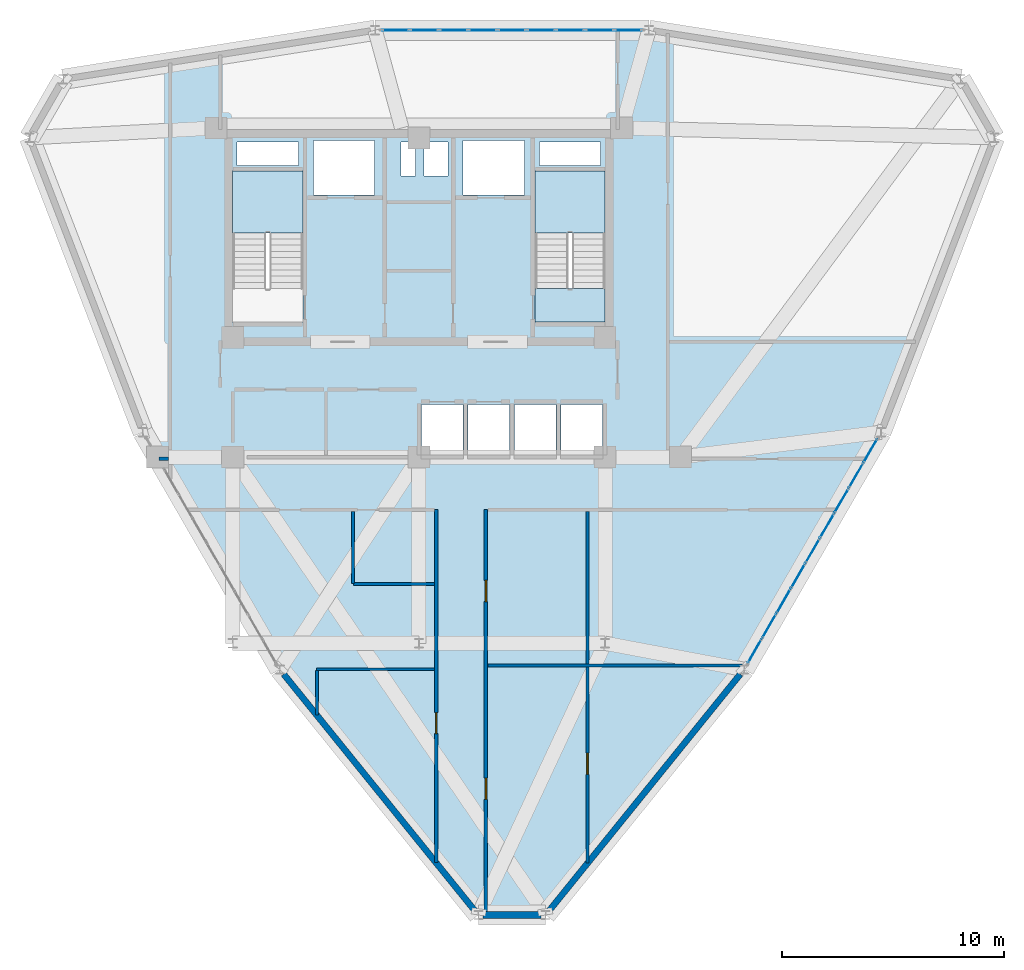
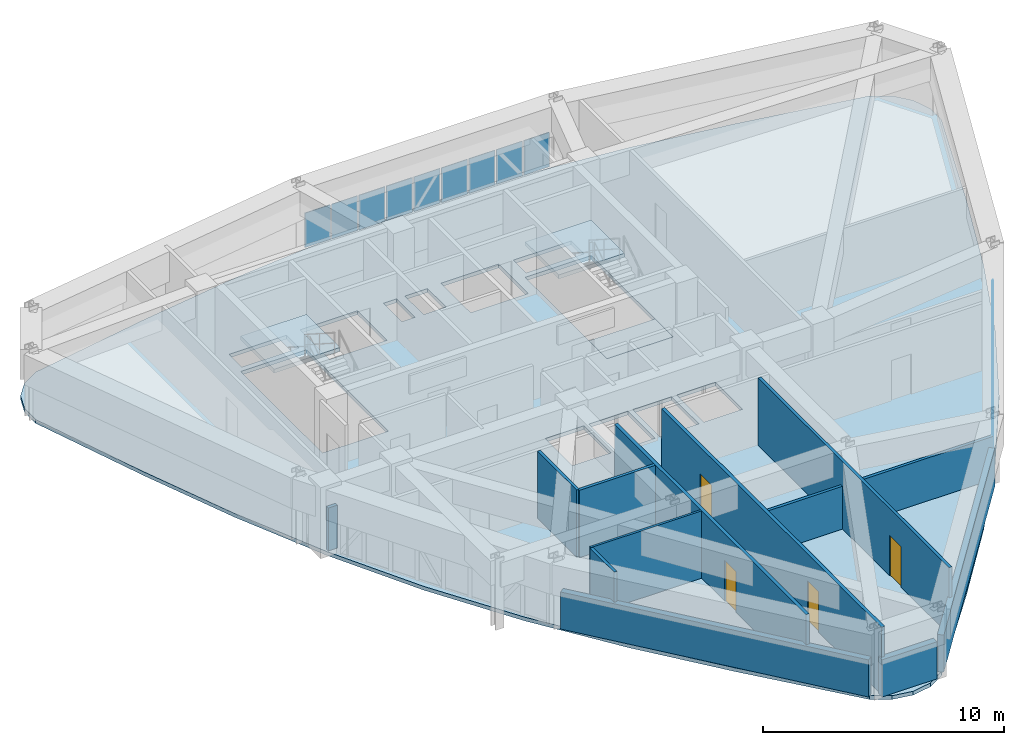
# One storey, part 13 of 16: 18 plates, 12 walls, 4 doors, 4 slabs, 4 openings, 4 elements without a shape of their own.
"""IFC4 building model written with IfcOpenShell, lengths in metres."""

from ifc_helpers import new_model, si_unit, derived_unit, direction, frame, frame_2d, origin, origin_2d, place, context, subcontext, project, spatial, polyline, rectangle, outline, extrude, source, transform, mapped, material, layer, layer_set, type_object, element, fill, aggregate, save


model = new_model("IFC4")

# Units and contexts
model_context = context("Model", 3, precision=1e-05, world=origin(), true_north=direction((0.0, 1.0)))
body_context = subcontext(model_context, "Body", "Model", "MODEL_VIEW")
ifc_project = project(units=[si_unit("LENGTHUNIT", "METRE"), si_unit("AREAUNIT", "SQUARE_METRE"), si_unit("VOLUMEUNIT", "CUBIC_METRE"), si_unit("PLANEANGLEUNIT", "RADIAN"), si_unit("MASSUNIT", "GRAM", prefix="KILO"), derived_unit("THERMALTRANSMITTANCEUNIT", [(si_unit("POWERUNIT", "WATT"), 1), (si_unit("LENGTHUNIT", "METRE"), -2), (si_unit("THERMODYNAMICTEMPERATUREUNIT", "KELVIN"), -1)])], contexts=[model_context])

# Site, building, storey
site_placement = place(None, origin())
site = spatial("IfcSite", under=ifc_project, at=site_placement, CompositionType="ELEMENT")
building_placement = place(site_placement, origin())
building = spatial("IfcBuilding", under=site, at=building_placement, Name="Korsvarv Bourse and Concert Hall", CompositionType="ELEMENT")
storey_placement = place(building_placement, frame((0.0, 0.0, 213.0)))
storey = spatial("IfcBuildingStorey", under=building, at=storey_placement, Name="L55", CompositionType="ELEMENT", Elevation=213.0)

# Slab
ifc_material_1 = material(Name="Precast concrete C45/55", Category="concrete")
ifc_layer_1 = layer(ifc_material_1, 0.199951171875)
ifc_layer_set_1 = layer_set([ifc_layer_1], Name="Precast concrete C45/55")
slab_type_1 = type_object("IfcSlabType", Name="SLB-FLND-T", PredefinedType="LANDING", material=ifc_layer_set_1)
slab_1_placement = place(storey_placement, frame((0.0, 0.0, -0.199951171875)))
element("IfcSlab", 1, at=slab_1_placement, inside=storey, type_object=slab_type_1, Name="L55 Stair ST-T2 Floor Landing Slab", PredefinedType="LANDING", context=body_context, shape_type="SweptSolid", body=[
    extrude(outline(polyline([(44.39990234375, 38.5), (44.39990234375, 40.0), (41.239990234375, 40.0), (41.239990234375, 38.5), (44.39990234375, 38.5)])), origin(), (0.0, 0.0, 1.0), 0.199951171875),
])

# Stair, slab
stair_type = type_object("IfcStairType", Name="STR-TYPE-04", PredefinedType="HALF_TURN_STAIR", material=ifc_material_1)
stair_1_placement = place(storey_placement, origin())
stair_1 = element("IfcStair", 2, at=stair_1_placement, inside=storey, type_object=stair_type, Name="L55 Tower West Exit Stair ST-T1", PredefinedType="HALF_TURN_STAIR")
ifc_layer_2 = layer(ifc_material_1, 0.199951171875)
ifc_layer_set_2 = layer_set([ifc_layer_2], Name="Precast concrete C45/55")
slab_type_2 = type_object("IfcSlabType", Name="SLB-ST-LND", PredefinedType="LANDING", material=ifc_layer_set_2)
slab_2_placement = place(storey_placement, frame((0.0, 0.0, 1.60009765625)))
slab_2 = element("IfcSlab", 3, at=slab_2_placement, type_object=slab_type_2, Name="ST-T1 landing 1", PredefinedType="LANDING", context=body_context, shape_type="SweptSolid", body=[
    extrude(outline(polyline([(30.760009765625, 42.52001953125), (30.760009765625, 45.300048828125), (27.60009765625, 45.300048828125), (27.60009765625, 42.52001953125), (30.760009765625, 42.52001953125)])), origin(), (0.0, 0.0, 1.0), 0.199951171875),
])
aggregate(stair_1, [slab_2])

stair_2_placement = place(storey_placement, origin())
stair_2 = element("IfcStair", 4, at=stair_2_placement, inside=storey, type_object=stair_type, Name="L55 Tower East Exit Stair ST-T2", PredefinedType="HALF_TURN_STAIR")
slab_3_placement = place(storey_placement, frame((0.0, 0.0, 1.60009765625)))
slab_3 = element("IfcSlab", 5, at=slab_3_placement, type_object=slab_type_2, Name="ST-T2 landing 1", PredefinedType="LANDING", context=body_context, shape_type="SweptSolid", body=[
    extrude(outline(polyline([(44.39990234375, 42.52001953125), (44.39990234375, 45.300048828125), (41.239990234375, 45.300048828125), (41.239990234375, 42.52001953125), (44.39990234375, 42.52001953125)])), origin(), (0.0, 0.0, 1.0), 0.199951171875),
])
aggregate(stair_2, [slab_3])

# Slab
ifc_material_2 = material(Name="Concrete C45/55", Category="concrete")
ifc_layer_3 = layer(ifc_material_2, 0.18994140625)
ifc_layer_set_3 = layer_set([ifc_layer_3], Name="Concrete C45/55")
slab_type_3 = type_object("IfcSlabType", Name="SLB-TW3", PredefinedType="FLOOR", material=ifc_layer_set_3)
slab_4_placement = place(storey_placement, frame((0.0, 0.0, -0.18994140625)))
element("IfcSlab", 6, at=slab_4_placement, inside=storey, type_object=slab_type_3, Name="L55 tower structural floor slab", PredefinedType="FLOOR", context=body_context, shape_type="SweptSolid", body=[
    extrude(outline(polyline([(61.532958984375, 45.518798828125), (59.89111328125, 40.9765625), (58.1455078125, 36.51904296875), (56.20068359375, 32.1962890625), (53.992431640625, 28.036865234375), (51.49462890625, 24.044921875), (48.723388671875, 20.199462890625), (45.73583984375, 16.458740234375), (42.622802734375, 12.765869140625), (42.62158203125, 12.764404296875), (41.92333984375, 11.93212890625), (41.116943359375, 11.466552734375), (40.199951171875, 11.304931640625), (39.282958984375, 11.466552734375), (38.476806640625, 11.93212890625), (37.7783203125, 12.764404296875), (37.777099609375, 12.765869140625), (34.6640625, 16.458740234375), (31.6767578125, 20.199462890625), (28.905517578125, 24.044921875), (26.407470703125, 28.036865234375), (24.19921875, 32.1962890625), (22.254638671875, 36.51904296875), (20.5087890625, 40.9765625), (18.8671875, 45.518798828125), (18.866455078125, 45.520751953125), (18.494873046875, 46.54150390625), (18.494873046875, 47.47265625), (18.8134765625, 48.34765625), (19.411865234375, 49.060791015625), (20.21826171875, 49.5263671875), (21.2880859375, 49.715087890625), (21.2900390625, 49.71533203125), (26.044677734375, 50.56494140625), (30.77783203125, 51.28173828125), (35.493896484375, 51.759033203125), (40.199951171875, 51.926025390625), (44.90625, 51.759033203125), (49.6220703125, 51.28173828125), (54.355224609375, 50.56494140625), (59.110107421875, 49.71533203125), (59.112060546875, 49.715087890625), (60.181884765625, 49.5263671875), (60.988037109375, 49.060791015625), (61.586669921875, 48.34765625), (61.905029296875, 47.47265625), (61.905029296875, 46.54150390625), (61.53369140625, 45.520751953125), (61.532958984375, 45.518798828125)]), holes=[polyline([(30.760009765625, 38.5), (30.760009765625, 45.300048828125), (27.60009765625, 45.300048828125), (27.60009765625, 38.5), (30.760009765625, 38.5)]), polyline([(44.39990234375, 38.5), (44.39990234375, 45.300048828125), (41.239990234375, 45.300048828125), (41.239990234375, 38.5), (44.39990234375, 38.5)]), polyline([(31.239990234375, 44.219970703125), (34.0, 44.219970703125), (34.0, 46.679931640625), (31.239990234375, 46.679931640625), (31.239990234375, 44.219970703125)]), polyline([(38.0, 44.219970703125), (40.760009765625, 44.219970703125), (40.760009765625, 46.679931640625), (38.0, 46.679931640625), (38.0, 44.219970703125)]), polyline([(36.1201171875, 32.52001953125), (37.97998046875, 32.52001953125), (37.97998046875, 34.780029296875), (36.1201171875, 34.780029296875), (36.1201171875, 32.52001953125)]), polyline([(38.219970703125, 32.52001953125), (40.080078125, 32.52001953125), (40.080078125, 34.780029296875), (38.219970703125, 34.780029296875), (38.219970703125, 32.52001953125)]), polyline([(40.320068359375, 32.52001953125), (42.179931640625, 32.52001953125), (42.179931640625, 34.780029296875), (40.320068359375, 34.780029296875), (40.320068359375, 32.52001953125)]), polyline([(42.419921875, 32.52001953125), (44.280029296875, 32.52001953125), (44.280029296875, 34.780029296875), (42.419921875, 34.780029296875), (42.419921875, 32.52001953125)]), polyline([(27.800048828125, 45.56005859375), (30.56005859375, 45.56005859375), (30.56005859375, 46.6201171875), (27.800048828125, 46.6201171875), (27.800048828125, 45.56005859375)]), polyline([(41.43994140625, 45.56005859375), (44.199951171875, 45.56005859375), (44.199951171875, 46.6201171875), (41.43994140625, 46.6201171875), (41.43994140625, 45.56005859375)]), polyline([(35.199951171875, 45.080078125), (35.840087890625, 45.080078125), (35.840087890625, 46.6201171875), (35.199951171875, 46.6201171875), (35.199951171875, 45.080078125)]), polyline([(36.239990234375, 45.080078125), (37.320068359375, 45.080078125), (37.320068359375, 46.6201171875), (36.239990234375, 46.6201171875), (36.239990234375, 45.080078125)])]), origin(), (0.0, 0.0, 1.0), 0.18994140625),
])

# Curtain wall, plates
ifc_material_3 = material(Name="Anodised aluminium and triple low-E glazing", Category="glass")
ifc_layer_4 = layer(ifc_material_3, 0.199951171875)
ifc_layer_set_4 = layer_set([ifc_layer_4], Name="Anodised aluminium and triple low-E glazing")
curtain_wall_type = type_object("IfcCurtainWallType", Name="CW-SYS-3", PredefinedType="NOTDEFINED", material=ifc_layer_set_4)
curtain_wall_1_placement = place(storey_placement, origin())
curtain_wall_1 = element("IfcCurtainWall", 7, at=curtain_wall_1_placement, inside=storey, type_object=curtain_wall_type, Name="L55 CW3 curtain wall CW-L55-F03", PredefinedType="NOTDEFINED")
ifc_material_4 = material(Name="Tempered triple insulated low-E architectural glass", Category="glass")
ifc_layer_5 = layer(ifc_material_4, 0.0380859375)
ifc_layer_set_5 = layer_set([ifc_layer_5], Name="Tempered triple insulated low-E architectural glass")
plate_type_1 = type_object("IfcPlateType", Name="CWP-VIS2", PredefinedType="CURTAIN_PANEL", material=ifc_layer_set_5)
shared_shape_1 = source(origin(), body_context, "Body", "SweptSolid", [
    extrude(rectangle(XDim=1.21142578125, YDim=0.0380859375, at=origin_2d()), origin(), (0.0, 0.0, 1.0), 1.75),
])
plate_1_placement = place(storey_placement, frame((45.447998046875, 51.66162109375, 0.06494140625), z_axis=(0.0, 0.0, 1.0), x_axis=(-1.0, 0.0, 0.0)))
plate_1 = element("IfcPlate", 8, at=plate_1_placement, type_object=plate_type_1, Name="CW3 faceted panel 1.1", PredefinedType="CURTAIN_PANEL", context=body_context, shape_type="MappedRepresentation", body=[
    mapped(shared_shape_1, transform((0.0, 0.0, 0.0), scale=1.0)),
])
plate_2_placement = place(storey_placement, frame((34.951904296875, 51.66162109375, 0.06494140625), z_axis=(0.0, 0.0, 1.0), x_axis=(-1.0, 0.0, 0.0)))
plate_2 = element("IfcPlate", 9, at=plate_2_placement, type_object=plate_type_1, Name="CW3 faceted panel 9.1", PredefinedType="CURTAIN_PANEL", context=body_context, shape_type="MappedRepresentation", body=[
    mapped(shared_shape_1, transform((0.0, 0.0, 0.0), scale=1.0)),
])
ifc_material_5 = material(Name="Insulated spandrel glass", Category="glass")
ifc_layer_6 = layer(ifc_material_5, 0.031982421875)
ifc_layer_set_6 = layer_set([ifc_layer_6], Name="Insulated spandrel glass")
plate_type_2 = type_object("IfcPlateType", Name="CWP-SPD1", PredefinedType="CURTAIN_PANEL", material=ifc_layer_set_6)
shared_shape_2 = source(origin(), body_context, "Body", "SweptSolid", [
    extrude(rectangle(XDim=1.246337890625, YDim=0.031982421875, at=origin_2d()), origin(), (0.0, 0.0, 1.0), 1.75),
])
plate_3_placement = place(storey_placement, frame((44.149169921875, 51.66162109375, 0.06494140625), z_axis=(0.0, 0.0, 1.0), x_axis=(-1.0, 0.0, 0.0)))
plate_3 = element("IfcPlate", 10, at=plate_3_placement, type_object=plate_type_2, Name="CW3 spandrel shadow-box panel 2.1", PredefinedType="CURTAIN_PANEL", context=body_context, shape_type="MappedRepresentation", body=[
    mapped(shared_shape_2, transform((0.0, 0.0, 0.0), scale=1.0)),
])
plate_4_placement = place(storey_placement, frame((40.199951171875, 51.66162109375, 0.06494140625), z_axis=(0.0, 0.0, 1.0), x_axis=(-1.0, 0.0, 0.0)))
plate_4 = element("IfcPlate", 11, at=plate_4_placement, type_object=plate_type_2, Name="CW3 spandrel shadow-box panel 5.1", PredefinedType="CURTAIN_PANEL", context=body_context, shape_type="MappedRepresentation", body=[
    mapped(shared_shape_2, transform((0.0, 0.0, 0.0), scale=1.0)),
])
plate_5_placement = place(storey_placement, frame((36.2509765625, 51.66162109375, 0.06494140625), z_axis=(0.0, 0.0, 1.0), x_axis=(-1.0, 0.0, 0.0)))
plate_5 = element("IfcPlate", 12, at=plate_5_placement, type_object=plate_type_2, Name="CW3 spandrel shadow-box panel 8.1", PredefinedType="CURTAIN_PANEL", context=body_context, shape_type="MappedRepresentation", body=[
    mapped(shared_shape_2, transform((0.0, 0.0, 0.0), scale=1.0)),
])
shared_shape_3 = source(origin(), body_context, "Body", "SweptSolid", [
    extrude(rectangle(XDim=1.246337890625, YDim=0.0380859375, at=origin_2d()), origin(), (0.0, 0.0, 1.0), 1.75),
])
plate_6_placement = place(storey_placement, frame((42.832763671875, 51.66162109375, 0.06494140625), z_axis=(0.0, 0.0, 1.0), x_axis=(-1.0, 0.0, 0.0)))
plate_6 = element("IfcPlate", 13, at=plate_6_placement, type_object=plate_type_1, Name="CW3 faceted panel 3.1", PredefinedType="CURTAIN_PANEL", context=body_context, shape_type="MappedRepresentation", body=[
    mapped(shared_shape_3, transform((0.0, 0.0, 0.0), scale=1.0)),
])
plate_7_placement = place(storey_placement, frame((41.516357421875, 51.66162109375, 0.06494140625), z_axis=(0.0, 0.0, 1.0), x_axis=(-1.0, 0.0, 0.0)))
plate_7 = element("IfcPlate", 14, at=plate_7_placement, type_object=plate_type_1, Name="CW3 faceted panel 4.1", PredefinedType="CURTAIN_PANEL", context=body_context, shape_type="MappedRepresentation", body=[
    mapped(shared_shape_3, transform((0.0, 0.0, 0.0), scale=1.0)),
])
plate_8_placement = place(storey_placement, frame((38.883544921875, 51.66162109375, 0.06494140625), z_axis=(0.0, 0.0, 1.0), x_axis=(-1.0, 0.0, 0.0)))
plate_8 = element("IfcPlate", 15, at=plate_8_placement, type_object=plate_type_1, Name="CW3 faceted panel 6.1", PredefinedType="CURTAIN_PANEL", context=body_context, shape_type="MappedRepresentation", body=[
    mapped(shared_shape_3, transform((0.0, 0.0, 0.0), scale=1.0)),
])
plate_9_placement = place(storey_placement, frame((37.567138671875, 51.66162109375, 0.06494140625), z_axis=(0.0, 0.0, 1.0), x_axis=(-1.0, 0.0, 0.0)))
plate_9 = element("IfcPlate", 16, at=plate_9_placement, type_object=plate_type_1, Name="CW3 faceted panel 7.1", PredefinedType="CURTAIN_PANEL", context=body_context, shape_type="MappedRepresentation", body=[
    mapped(shared_shape_3, transform((0.0, 0.0, 0.0), scale=1.0)),
])
aggregate(curtain_wall_1, [plate_1, plate_3, plate_6, plate_7, plate_4, plate_8, plate_9, plate_5, plate_2])

curtain_wall_2_placement = place(storey_placement, origin())
curtain_wall_2 = element("IfcCurtainWall", 17, at=curtain_wall_2_placement, inside=storey, type_object=curtain_wall_type, Name="L55 CW3 curtain wall CW-L55-F11", PredefinedType="NOTDEFINED")
shared_shape_4 = source(origin(), body_context, "Body", "SweptSolid", [
    extrude(rectangle(XDim=1.201416015625, YDim=0.0380859375, at=origin_2d()), origin(), (0.0, 0.0, 1.0), 1.75),
])
plate_10_placement = place(storey_placement, frame((51.159423828125, 23.658935546875, 0.06494140625), z_axis=(0.0, 0.0, 1.0), x_axis=(0.499996577961, 0.86602737949, 0.0)))
plate_10 = element("IfcPlate", 18, at=plate_10_placement, type_object=plate_type_1, Name="CW3 faceted panel 1.1", PredefinedType="CURTAIN_PANEL", context=body_context, shape_type="MappedRepresentation", body=[
    mapped(shared_shape_4, transform((0.0, 0.0, 0.0), scale=1.0)),
])
plate_11_placement = place(storey_placement, frame((56.367431640625, 32.679443359375, 0.06494140625), z_axis=(0.0, 0.0, 1.0), x_axis=(0.499996577961, 0.86602737949, 0.0)))
plate_11 = element("IfcPlate", 19, at=plate_11_placement, type_object=plate_type_1, Name="CW3 faceted panel 9.1", PredefinedType="CURTAIN_PANEL", context=body_context, shape_type="MappedRepresentation", body=[
    mapped(shared_shape_4, transform((0.0, 0.0, 0.0), scale=1.0)),
])
shared_shape_5 = source(origin(), body_context, "Body", "SweptSolid", [
    extrude(rectangle(XDim=1.236328125, YDim=0.031982421875, at=origin_2d()), origin(), (0.0, 0.0, 1.0), 1.75),
])
plate_12_placement = place(storey_placement, frame((51.803955078125, 24.775146484375, 0.06494140625), z_axis=(0.0, 0.0, 1.0), x_axis=(0.499996577961, 0.86602737949, 0.0)))
plate_12 = element("IfcPlate", 20, at=plate_12_placement, type_object=plate_type_2, Name="CW3 spandrel shadow-box panel 2.1", PredefinedType="CURTAIN_PANEL", context=body_context, shape_type="MappedRepresentation", body=[
    mapped(shared_shape_5, transform((0.0, 0.0, 0.0), scale=1.0)),
])
plate_13_placement = place(storey_placement, frame((53.763427734375, 28.169189453125, 0.06494140625), z_axis=(0.0, 0.0, 1.0), x_axis=(0.499996577961, 0.86602737949, 0.0)))
plate_13 = element("IfcPlate", 21, at=plate_13_placement, type_object=plate_type_2, Name="CW3 spandrel shadow-box panel 5.1", PredefinedType="CURTAIN_PANEL", context=body_context, shape_type="MappedRepresentation", body=[
    mapped(shared_shape_5, transform((0.0, 0.0, 0.0), scale=1.0)),
])
plate_14_placement = place(storey_placement, frame((55.722900390625, 31.563232421875, 0.06494140625), z_axis=(0.0, 0.0, 1.0), x_axis=(0.499996577961, 0.86602737949, 0.0)))
plate_14 = element("IfcPlate", 22, at=plate_14_placement, type_object=plate_type_2, Name="CW3 spandrel shadow-box panel 8.1", PredefinedType="CURTAIN_PANEL", context=body_context, shape_type="MappedRepresentation", body=[
    mapped(shared_shape_5, transform((0.0, 0.0, 0.0), scale=1.0)),
])
shared_shape_6 = source(origin(), body_context, "Body", "SweptSolid", [
    extrude(rectangle(XDim=1.236328125, YDim=0.0380859375, at=origin_2d()), origin(), (0.0, 0.0, 1.0), 1.75),
])
plate_15_placement = place(storey_placement, frame((52.45703125, 25.906494140625, 0.06494140625), z_axis=(0.0, 0.0, 1.0), x_axis=(0.499996577961, 0.86602737949, 0.0)))
plate_15 = element("IfcPlate", 23, at=plate_15_placement, type_object=plate_type_1, Name="CW3 faceted panel 3.1", PredefinedType="CURTAIN_PANEL", context=body_context, shape_type="MappedRepresentation", body=[
    mapped(shared_shape_6, transform((0.0, 0.0, 0.0), scale=1.0)),
])
plate_16_placement = place(storey_placement, frame((53.1103515625, 27.037841796875, 0.06494140625), z_axis=(0.0, 0.0, 1.0), x_axis=(0.499996577961, 0.86602737949, 0.0)))
plate_16 = element("IfcPlate", 24, at=plate_16_placement, type_object=plate_type_1, Name="CW3 faceted panel 4.1", PredefinedType="CURTAIN_PANEL", context=body_context, shape_type="MappedRepresentation", body=[
    mapped(shared_shape_6, transform((0.0, 0.0, 0.0), scale=1.0)),
])
plate_17_placement = place(storey_placement, frame((54.416748046875, 29.300537109375, 0.06494140625), z_axis=(0.0, 0.0, 1.0), x_axis=(0.499996577961, 0.86602737949, 0.0)))
plate_17 = element("IfcPlate", 25, at=plate_17_placement, type_object=plate_type_1, Name="CW3 faceted panel 6.1", PredefinedType="CURTAIN_PANEL", context=body_context, shape_type="MappedRepresentation", body=[
    mapped(shared_shape_6, transform((0.0, 0.0, 0.0), scale=1.0)),
])
plate_18_placement = place(storey_placement, frame((55.06982421875, 30.431884765625, 0.06494140625), z_axis=(0.0, 0.0, 1.0), x_axis=(0.499996577961, 0.86602737949, 0.0)))
plate_18 = element("IfcPlate", 26, at=plate_18_placement, type_object=plate_type_1, Name="CW3 faceted panel 7.1", PredefinedType="CURTAIN_PANEL", context=body_context, shape_type="MappedRepresentation", body=[
    mapped(shared_shape_6, transform((0.0, 0.0, 0.0), scale=1.0)),
])
aggregate(curtain_wall_2, [plate_10, plate_12, plate_15, plate_16, plate_13, plate_17, plate_18, plate_14, plate_11])

# Walls
ifc_material_6 = material(Name="Precast concrete C45/55 with terracotta rainscreen", Category="concrete")
ifc_layer_7 = layer(ifc_material_6, 0.300048828125)
ifc_layer_set_7 = layer_set([ifc_layer_7], Name="Precast concrete C45/55 with terracotta rainscreen")
wall_type_1 = type_object("IfcWallType", Name="WL-EXT-TC1", PredefinedType="SOLIDWALL", material=ifc_layer_set_7)
wall_1_placement = place(storey_placement, frame((38.885986328125, 11.74072265625, 0.0), z_axis=(0.0, 0.0, 1.0), x_axis=(1.0, 0.0, 0.0)))
element("IfcWall", 27, at=wall_1_placement, inside=storey, type_object=wall_type_1, Name="L55 terracotta exterior wall EW-L55-B09", PredefinedType="SOLIDWALL", context=body_context, shape_type="SweptSolid", body=[
    extrude(rectangle(XDim=2.628173828125, YDim=0.300048828125, at=frame_2d((1.31396484375, 0.0))), origin(), (0.0, 0.0, 1.0), 1.8798828125),
])
ifc_material_7 = material(Name="Precast concrete C45/55 with fluted terracotta pier", Category="concrete")
ifc_layer_8 = layer(ifc_material_7, 0.280029296875)
ifc_layer_set_8 = layer_set([ifc_layer_8], Name="Precast concrete C45/55 with fluted terracotta pier")
wall_type_2 = type_object("IfcWallType", Name="WL-EXT-TC2", PredefinedType="SOLIDWALL", material=ifc_layer_set_8)
wall_2_placement = place(storey_placement, frame((29.89697265625, 22.60693359375, 0.0), z_axis=(0.0, 0.0, 1.0), x_axis=(0.628534993718, -0.777781307098, 0.0)))
element("IfcWall", 28, at=wall_2_placement, inside=storey, type_object=wall_type_2, Name="L55 terracotta exterior wall EW-L55-B08", PredefinedType="SOLIDWALL", context=body_context, shape_type="SweptSolid", body=[
    extrude(rectangle(XDim=13.69677734375, YDim=0.280029296875, at=frame_2d((6.848388671875, 0.0))), origin(), (0.0, 0.0, 1.0), 1.8798828125),
])
wall_3_placement = place(storey_placement, frame((41.894287109375, 11.953857421875, 0.0), z_axis=(0.0, 0.0, 1.0), x_axis=(0.628524210589, 0.777790020959, 0.0)))
element("IfcWall", 29, at=wall_3_placement, inside=storey, type_object=wall_type_2, Name="L55 terracotta exterior wall EW-L55-B10", PredefinedType="SOLIDWALL", context=body_context, shape_type="SweptSolid", body=[
    extrude(rectangle(XDim=13.696533203125, YDim=0.280029296875, at=frame_2d((6.84814453125, 0.0))), origin(), (0.0, 0.0, 1.0), 1.8798828125),
])

# Wall, openings, doors
ifc_material_8 = material(Name="Double-stud fire-rated acoustic partition", Category="gypsum")
ifc_layer_9 = layer(ifc_material_8, 0.159912109375)
ifc_layer_set_9 = layer_set([ifc_layer_9], Name="Double-stud fire-rated acoustic partition")
wall_type_3 = type_object("IfcWallType", Name="WL-INT-EI60", PredefinedType="PARTITIONING", material=ifc_layer_set_9)
wall_4_placement = place(storey_placement, frame((39.02490234375, 11.7607421875, 0.0), z_axis=(0.0, 0.0, 1.0), x_axis=(0.0, 1.0, 0.0)))
wall_4 = element("IfcWall", 30, at=wall_4_placement, inside=storey, type_object=wall_type_3, Name="L55 interior partition wall W-L55-TCOR-03", PredefinedType="PARTITIONING", context=body_context, shape_type="SweptSolid", body=[
    extrude(rectangle(XDim=18.269287109375, YDim=0.159912109375, at=frame_2d((9.134765625, 0.0))), origin(), (0.0, 0.0, 1.0), 3.409912109375),
])
opening_1_placement = place(wall_4_placement, frame((5.19970703125, 0.0, 0.0)))
opening_1 = element("IfcOpeningElement", 31, at=opening_1_placement, cuts=wall_4, Name="Opening D-02", PredefinedType="OPENING", context=body_context, shape_type="SweptSolid", body=[
    extrude(rectangle(XDim=0.949951171875, YDim=2.050048828125, at=frame_2d((0.47509765625, 1.02490234375))), frame((0.0, 0.08984375, 0.0), z_axis=(0.0, -1.0, 0.0), x_axis=(1.0, 0.0, 0.0)), (0.0, 0.0, 1.0), 0.179931640625),
])
opening_2_placement = place(wall_4_placement, frame((14.121337890625, 0.0, 0.0)))
opening_2 = element("IfcOpeningElement", 32, at=opening_2_placement, cuts=wall_4, Name="Opening D-02", PredefinedType="OPENING", context=body_context, shape_type="SweptSolid", body=[
    extrude(rectangle(XDim=0.949951171875, YDim=2.050048828125, at=frame_2d((0.47509765625, 1.02490234375))), frame((0.0, 0.08984375, 0.0), z_axis=(0.0, -1.0, 0.0), x_axis=(1.0, 0.0, 0.0)), (0.0, 0.0, 1.0), 0.179931640625),
])
ifc_material_9 = material(Name="Timber and steel acoustic fire door", Category="wood")
door_type_1 = type_object("IfcDoorType", Name="DR-FD30", OperationType="NOTDEFINED", PredefinedType="DOOR", material=ifc_material_9)
door_1_placement = place(opening_1_placement, origin())
door_1 = element("IfcDoor", 33, at=door_1_placement, inside=storey, type_object=door_type_1, Name="L55 interior door DR-L55-TCOR-PN53", OperationType="SINGLE_SWING_RIGHT", OverallHeight=2.050048828125, OverallWidth=0.949951171875, PredefinedType="DOOR", context=body_context, shape_type="SweptSolid", body=[
    extrude(rectangle(XDim=0.949951171875, YDim=2.050048828125, at=frame_2d((0.47509765625, 1.02490234375))), frame((0.0, 0.02490234375, 0.0), z_axis=(0.0, -1.0, 0.0), x_axis=(1.0, 0.0, 0.0)), (0.0, 0.0, 1.0), 0.050048828125),
])
fill(opening_1, door_1)
door_2_placement = place(opening_2_placement, origin())
door_2 = element("IfcDoor", 34, at=door_2_placement, inside=storey, type_object=door_type_1, Name="L55 interior door DR-L55-TCOR-PN24", OperationType="SINGLE_SWING_LEFT", OverallHeight=2.050048828125, OverallWidth=0.949951171875, PredefinedType="DOOR", context=body_context, shape_type="SweptSolid", body=[
    extrude(rectangle(XDim=0.949951171875, YDim=2.050048828125, at=frame_2d((0.47509765625, 1.02490234375))), frame((0.0, 0.02490234375, 0.0), z_axis=(0.0, -1.0, 0.0), x_axis=(1.0, 0.0, 0.0)), (0.0, 0.0, 1.0), 0.050048828125),
])
fill(opening_2, door_2)

# Wall, opening, door
wall_5_placement = place(storey_placement, frame((36.77490234375, 14.115478515625, 0.0), z_axis=(0.0, 0.0, 1.0), x_axis=(0.0, 1.0, 0.0)))
wall_5 = element("IfcWall", 35, at=wall_5_placement, inside=storey, type_object=wall_type_3, Name="L55 interior partition wall W-L55-TCOR-04", PredefinedType="PARTITIONING", context=body_context, shape_type="SweptSolid", body=[
    extrude(rectangle(XDim=15.91455078125, YDim=0.159912109375, at=frame_2d((7.957275390625, 0.0))), origin(), (0.0, 0.0, 1.0), 3.409912109375),
])
opening_3_placement = place(wall_5_placement, frame((5.803466796875, 0.0, 0.0)))
opening_3 = element("IfcOpeningElement", 36, at=opening_3_placement, cuts=wall_5, Name="Opening D-02", PredefinedType="OPENING", context=body_context, shape_type="SweptSolid", body=[
    extrude(rectangle(XDim=0.949951171875, YDim=2.050048828125, at=frame_2d((0.47509765625, 1.02490234375))), frame((0.0, 0.08984375, 0.0), z_axis=(0.0, -1.0, 0.0), x_axis=(1.0, 0.0, 0.0)), (0.0, 0.0, 1.0), 0.179931640625),
])
door_3_placement = place(opening_3_placement, origin())
door_3 = element("IfcDoor", 37, at=door_3_placement, inside=storey, type_object=door_type_1, Name="L55 interior door DR-L55-TCOR-PN49", OperationType="SINGLE_SWING_RIGHT", OverallHeight=2.050048828125, OverallWidth=0.949951171875, PredefinedType="DOOR", context=body_context, shape_type="SweptSolid", body=[
    extrude(rectangle(XDim=0.949951171875, YDim=2.050048828125, at=frame_2d((0.47509765625, 1.02490234375))), frame((0.0, 0.02490234375, 0.0), z_axis=(0.0, -1.0, 0.0), x_axis=(1.0, 0.0, 0.0)), (0.0, 0.0, 1.0), 0.050048828125),
])
fill(opening_3, door_3)

# Walls
wall_6_placement = place(storey_placement, frame((24.262939453125, 32.31494140625, 0.0), z_axis=(0.0, 0.0, 1.0), x_axis=(1.0, 0.0, 0.0)))
element("IfcWall", 38, at=wall_6_placement, inside=storey, type_object=wall_type_3, Name="L55 interior partition wall W-L55-TCOR-10", PredefinedType="PARTITIONING", context=body_context, shape_type="SweptSolid", body=[
    extrude(rectangle(XDim=0.43017578125, YDim=0.159912109375, at=frame_2d((0.215087890625, 0.0))), origin(), (0.0, 0.0, 1.0), 2.169921875),
])
ifc_material_10 = material(Name="Demountable acoustic glass and aluminium dealing partition", Category="aluminium")
ifc_layer_10 = layer(ifc_material_10, 0.110107421875)
ifc_layer_set_10 = layer_set([ifc_layer_10], Name="Demountable acoustic glass and aluminium dealing partition")
wall_type_4 = type_object("IfcWallType", Name="WL-INT-MOV", PredefinedType="MOVABLE", material=ifc_layer_set_10)
wall_7_placement = place(storey_placement, frame((31.389892578125, 22.8349609375, 0.0), z_axis=(0.0, 0.0, 1.0), x_axis=(1.0, 0.0, 0.0)))
element("IfcWall", 39, at=wall_7_placement, inside=storey, type_object=wall_type_4, Name="L55 interior partition wall W-L55-TCOR-14", PredefinedType="MOVABLE", context=body_context, shape_type="SweptSolid", body=[
    extrude(rectangle(XDim=5.30322265625, YDim=0.110107421875, at=frame_2d((2.651611328125, 0.0))), origin(), (0.0, 0.0, 1.0), 3.409912109375),
])

# Wall, opening, door
ifc_material_11 = material(Name="Insulated steel-stud office acoustic partition", Category="gypsum")
ifc_layer_11 = layer(ifc_material_11, 0.139892578125)
ifc_layer_set_11 = layer_set([ifc_layer_11], Name="Insulated steel-stud office acoustic partition")
wall_type_5 = type_object("IfcWallType", Name="WL-INT-P1", PredefinedType="PARTITIONING", material=ifc_layer_set_11)
wall_8_placement = place(storey_placement, frame((43.60498046875, 14.0908203125, 0.0), z_axis=(0.0, 0.0, 1.0), x_axis=(0.0, 1.0, 0.0)))
wall_8 = element("IfcWall", 40, at=wall_8_placement, inside=storey, type_object=wall_type_5, Name="L55 interior partition wall W-L55-TCOR-11", PredefinedType="PARTITIONING", context=body_context, shape_type="SweptSolid", body=[
    extrude(rectangle(XDim=15.852294921875, YDim=0.139892578125, at=frame_2d((7.92626953125, 0.0))), origin(), (0.0, 0.0, 1.0), 3.409912109375),
])
opening_4_placement = place(wall_8_placement, frame((3.997802734375, 0.0, 0.0)))
opening_4 = element("IfcOpeningElement", 41, at=opening_4_placement, cuts=wall_8, Name="Opening D-03", PredefinedType="OPENING", context=body_context, shape_type="SweptSolid", body=[
    extrude(rectangle(XDim=0.949951171875, YDim=2.050048828125, at=frame_2d((0.47509765625, 1.02490234375))), frame((0.0, 0.080078125, 0.0), z_axis=(0.0, -1.0, 0.0), x_axis=(1.0, 0.0, 0.0)), (0.0, 0.0, 1.0), 0.159912109375),
])
ifc_material_12 = material(Name="Nordic oak acoustic office door", Category="wood")
door_type_2 = type_object("IfcDoorType", Name="DR-INT-1", OperationType="NOTDEFINED", PredefinedType="DOOR", material=ifc_material_12)
door_4_placement = place(opening_4_placement, origin())
door_4 = element("IfcDoor", 42, at=door_4_placement, inside=storey, type_object=door_type_2, Name="L55 interior door DR-L55-TCOR-RM55", OperationType="SINGLE_SWING_RIGHT", OverallHeight=2.050048828125, OverallWidth=0.949951171875, PredefinedType="DOOR", context=body_context, shape_type="SweptSolid", body=[
    extrude(rectangle(XDim=0.949951171875, YDim=2.050048828125, at=frame_2d((0.47509765625, 1.02490234375))), frame((0.0, 0.02490234375, 0.0), z_axis=(0.0, -1.0, 0.0), x_axis=(1.0, 0.0, 0.0)), (0.0, 0.0, 1.0), 0.050048828125),
])
fill(opening_4, door_4)

# Walls
wall_9_placement = place(storey_placement, frame((39.10693359375, 23.0048828125, 0.0), z_axis=(0.0, 0.0, 1.0), x_axis=(1.0, 0.0, 0.0)))
element("IfcWall", 43, at=wall_9_placement, inside=storey, type_object=wall_type_5, Name="L55 interior partition wall W-L55-TCOR-12", PredefinedType="PARTITIONING", context=body_context, shape_type="SweptSolid", body=[
    extrude(rectangle(XDim=11.655029296875, YDim=0.139892578125, at=frame_2d((5.82763671875, 0.0))), origin(), (0.0, 0.0, 1.0), 2.169921875),
])
wall_10_placement = place(storey_placement, frame((33.0400390625, 26.675048828125, 0.0), z_axis=(0.0, 0.0, 1.0), x_axis=(1.0, 0.0, 0.0)))
element("IfcWall", 44, at=wall_10_placement, inside=storey, type_object=wall_type_5, Name="L55 interior partition wall W-L55-TCOR-15", PredefinedType="PARTITIONING", context=body_context, shape_type="SweptSolid", body=[
    extrude(rectangle(XDim=3.653076171875, YDim=0.139892578125, at=frame_2d((1.82666015625, 0.0))), origin(), (0.0, 0.0, 1.0), 3.409912109375),
])
wall_11_placement = place(storey_placement, frame((33.02490234375, 26.68994140625, 0.0), z_axis=(0.0, 0.0, 1.0), x_axis=(0.0, 1.0, 0.0)))
element("IfcWall", 45, at=wall_11_placement, inside=storey, type_object=wall_type_5, Name="L55 interior partition wall W-L55-TCOR-16", PredefinedType="PARTITIONING", context=body_context, shape_type="SweptSolid", body=[
    extrude(rectangle(XDim=3.253173828125, YDim=0.139892578125, at=frame_2d((1.62646484375, 0.0))), origin(), (0.0, 0.0, 1.0), 3.409912109375),
])
wall_12_placement = place(storey_placement, frame((31.405029296875, 20.760986328125, 0.0), z_axis=(0.0, 0.0, 1.0), x_axis=(0.0, 1.0, 0.0)))
element("IfcWall", 46, at=wall_12_placement, inside=storey, type_object=wall_type_5, Name="L55 interior partition wall W-L55-TCOR-17", PredefinedType="PARTITIONING", context=body_context, shape_type="SweptSolid", body=[
    extrude(rectangle(XDim=2.001953125, YDim=0.139892578125, at=frame_2d((1.0009765625, 0.0))), origin(), (0.0, 0.0, 1.0), 3.409912109375),
])

save(model, "model.ifc")
